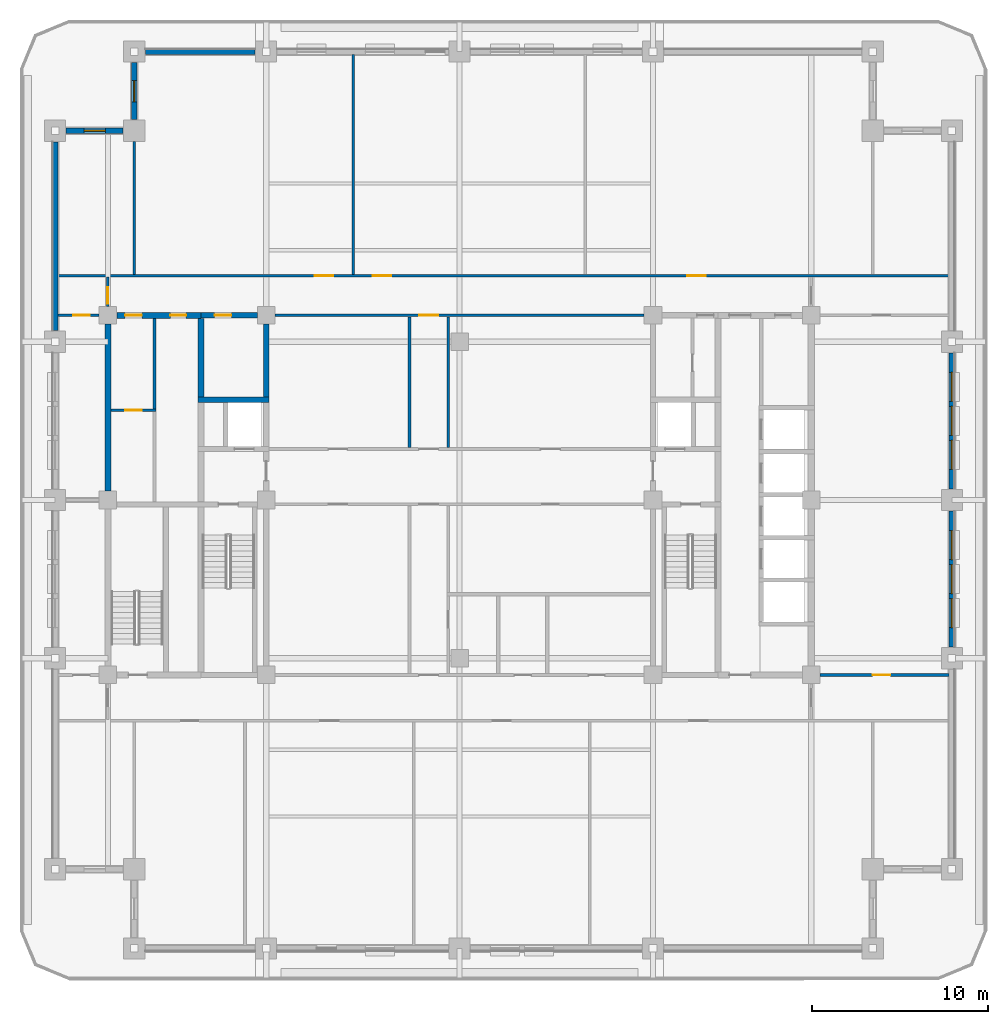
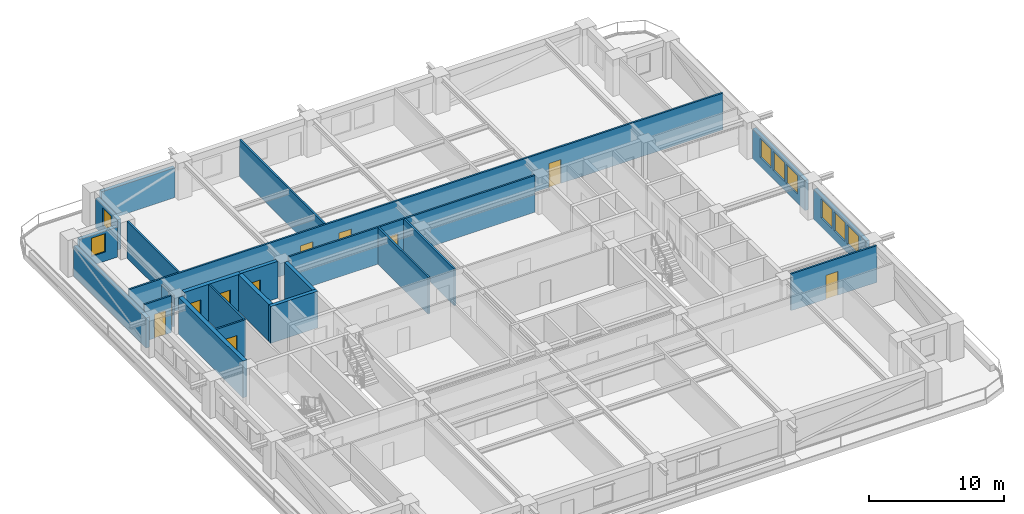
# One storey, part 5 of 14: 23 walls, 11 doors, 8 windows, 19 openings.
"""IFC4 building model written with IfcOpenShell, lengths in metres."""

from ifc_helpers import new_model, si_unit, direction, frame, frame_2d, origin, place, context, subcontext, project, spatial, rectangle, extrude, material, layer, layer_set, type_object, element, fill, save


model = new_model("IFC4")

# Units and contexts
model_context = context("Model", 3, precision=1e-05, world=origin(), true_north=direction((0.0, 1.0)))
body_context = subcontext(model_context, "Body", "Model", "MODEL_VIEW")
ifc_project = project(units=[si_unit("LENGTHUNIT", "METRE"), si_unit("AREAUNIT", "SQUARE_METRE"), si_unit("VOLUMEUNIT", "CUBIC_METRE"), si_unit("PLANEANGLEUNIT", "RADIAN"), si_unit("MASSUNIT", "GRAM", prefix="KILO")], contexts=[model_context])

# Site, building, storey
site_placement = place(None, origin())
site = spatial("IfcSite", under=ifc_project, at=site_placement, CompositionType="ELEMENT")
building_placement = place(site_placement, origin())
building = spatial("IfcBuilding", under=site, at=building_placement, Name="Zulmaris Gate Convention Tower", CompositionType="ELEMENT")
storey_placement = place(building_placement, frame((0.0, 0.0, 98.5)))
storey = spatial("IfcBuildingStorey", under=building, at=storey_placement, Name="L24", CompositionType="ELEMENT", Elevation=98.5)

# Wall
ifc_material_1 = material(Name="Concrete C50/60", Category="concrete")
ifc_layer_1 = layer(ifc_material_1, 0.300048828125, Name="Concrete C50/60")
ifc_layer_set_1 = layer_set([ifc_layer_1], Name="Concrete C50/60")
wall_type_1 = type_object("IfcWallType", Name="CORE-300", PredefinedType="SHEAR", material=ifc_layer_set_1)
wall_1_placement = place(storey_placement, frame((-14.875, 5.699951171875, 0.0), z_axis=(0.0, 0.0, 1.0), x_axis=(1.0, 0.0, 0.0)))
element("IfcWall", 1, at=wall_1_placement, inside=storey, type_object=wall_type_1, Name="WL-L24-015", PredefinedType="SHEAR", context=body_context, shape_type="SweptSolid", body=[
    extrude(rectangle(XDim=4.02490234375, YDim=0.300048828125, at=frame_2d((2.012451171875, 0.0))), origin(), (0.0, 0.0, 1.0), 3.31982421875),
])

# Wall, opening, door
wall_2_placement = place(storey_placement, frame((-14.699951171875, 10.5, 0.0), z_axis=(0.0, 0.0, 1.0), x_axis=(1.0, 0.0, 0.0)))
wall_2 = element("IfcWall", 2, at=wall_2_placement, inside=storey, type_object=wall_type_1, Name="WL-L24-018", PredefinedType="SHEAR", context=body_context, shape_type="SweptSolid", body=[
    extrude(rectangle(XDim=3.196044921875, YDim=0.300048828125, at=frame_2d((1.59814453125, 0.0))), origin(), (0.0, 0.0, 1.0), 3.31982421875),
])
opening_1_placement = place(wall_2_placement, frame((0.77490234375, 0.0, 0.0)))
opening_1 = element("IfcOpeningElement", 3, at=opening_1_placement, cuts=wall_2, Name="Opening D-11", PredefinedType="OPENING", context=body_context, shape_type="SweptSolid", body=[
    extrude(rectangle(XDim=0.949951171875, YDim=2.14990234375, at=frame_2d((0.47509765625, 1.074951171875))), frame((0.0, 0.16015625, 0.0), z_axis=(0.0, -1.0, 0.0), x_axis=(1.0, 0.0, 0.0)), (0.0, 0.0, 1.0), 0.320068359375),
])
ifc_material_2 = material(Name="Fire-Rated Timber", Category="wood")
door_type_1 = type_object("IfcDoorType", Name="DR-950-FD", OperationType="NOTDEFINED", PredefinedType="DOOR", material=ifc_material_2)
door_1_placement = place(opening_1_placement, origin())
door_1 = element("IfcDoor", 4, at=door_1_placement, inside=storey, type_object=door_type_1, Name="L24 Core Archive Door 07", OperationType="SINGLE_SWING_RIGHT", OverallHeight=2.14990234375, OverallWidth=0.949951171875, PredefinedType="DOOR", context=body_context, shape_type="SweptSolid", body=[
    extrude(rectangle(XDim=0.949951171875, YDim=2.14990234375, at=frame_2d((0.47509765625, 1.074951171875))), frame((0.0, 0.02490234375, 0.0), z_axis=(0.0, -1.0, 0.0), x_axis=(1.0, 0.0, 0.0)), (0.0, 0.0, 1.0), 0.050048828125),
])
fill(opening_1, door_1)

# Wall
wall_3_placement = place(storey_placement, frame((-11.0, 5.85205078125, 0.0), z_axis=(0.0, 0.0, 1.0), x_axis=(0.0, 1.0, 0.0)))
element("IfcWall", 5, at=wall_3_placement, inside=storey, type_object=wall_type_1, Name="WL-L24-046", PredefinedType="SHEAR", context=body_context, shape_type="SweptSolid", body=[
    extrude(rectangle(XDim=4.14404296875, YDim=0.300048828125, at=frame_2d((2.072021484375, 0.0))), origin(), (0.0, 0.0, 1.0), 3.31982421875),
])

# Wall, openings, doors
ifc_material_3 = material(Name="Concrete C55/67", Category="concrete")
ifc_layer_2 = layer(ifc_material_3, 0.35009765625, Name="Concrete C55/67")
ifc_layer_set_2 = layer_set([ifc_layer_2], Name="Concrete C55/67")
wall_type_2 = type_object("IfcWallType", Name="CORE-350", PredefinedType="SHEAR", material=ifc_layer_set_2)
wall_4_placement = place(storey_placement, frame((-19.49609375, 10.5, 0.0), z_axis=(0.0, 0.0, 1.0), x_axis=(1.0, 0.0, 0.0)))
wall_4 = element("IfcWall", 6, at=wall_4_placement, inside=storey, type_object=wall_type_2, Name="WL-L24-017", PredefinedType="SHEAR", context=body_context, shape_type="SweptSolid", body=[
    extrude(rectangle(XDim=4.796142578125, YDim=0.35009765625, at=frame_2d((2.39794921875, 0.0))), origin(), (0.0, 0.0, 1.0), 3.31982421875),
])
opening_2_placement = place(wall_4_placement, frame((0.470947265625, 0.0, 0.0)))
opening_2 = element("IfcOpeningElement", 7, at=opening_2_placement, cuts=wall_4, Name="Opening D-11", PredefinedType="OPENING", context=body_context, shape_type="SweptSolid", body=[
    extrude(rectangle(XDim=0.949951171875, YDim=2.14990234375, at=frame_2d((0.47509765625, 1.074951171875))), frame((0.0, 0.18505859375, 0.0), z_axis=(0.0, -1.0, 0.0), x_axis=(1.0, 0.0, 0.0)), (0.0, 0.0, 1.0), 0.3701171875),
])
opening_3_placement = place(wall_4_placement, frame((3.0458984375, 0.0, 0.0)))
opening_3 = element("IfcOpeningElement", 8, at=opening_3_placement, cuts=wall_4, Name="Opening D-12", PredefinedType="OPENING", context=body_context, shape_type="SweptSolid", body=[
    extrude(rectangle(XDim=0.89990234375, YDim=2.14990234375, at=frame_2d((0.449951171875, 1.074951171875))), frame((0.0, 0.18505859375, 0.0), z_axis=(0.0, -1.0, 0.0), x_axis=(1.0, 0.0, 0.0)), (0.0, 0.0, 1.0), 0.3701171875),
])
door_type_2 = type_object("IfcDoorType", Name="DR-900-FD", OperationType="NOTDEFINED", PredefinedType="DOOR", material=ifc_material_2)
door_2_placement = place(opening_3_placement, origin())
door_2 = element("IfcDoor", 9, at=door_2_placement, inside=storey, type_object=door_type_2, Name="L24 Staff WC Door 13", OperationType="SINGLE_SWING_RIGHT", OverallHeight=2.14990234375, OverallWidth=0.89990234375, PredefinedType="DOOR", context=body_context, shape_type="SweptSolid", body=[
    extrude(rectangle(XDim=0.89990234375, YDim=2.14990234375, at=frame_2d((0.449951171875, 1.074951171875))), frame((0.0, 0.02490234375, 0.0), z_axis=(0.0, -1.0, 0.0), x_axis=(1.0, 0.0, 0.0)), (0.0, 0.0, 1.0), 0.050048828125),
])
fill(opening_3, door_2)
door_3_placement = place(opening_2_placement, origin())
door_3 = element("IfcDoor", 10, at=door_3_placement, inside=storey, type_object=door_type_1, Name="L24 Linen Store Door 11", OperationType="SINGLE_SWING_RIGHT", OverallHeight=2.14990234375, OverallWidth=0.949951171875, PredefinedType="DOOR", context=body_context, shape_type="SweptSolid", body=[
    extrude(rectangle(XDim=0.949951171875, YDim=2.14990234375, at=frame_2d((0.47509765625, 1.074951171875))), frame((0.0, 0.02490234375, 0.0), z_axis=(0.0, -1.0, 0.0), x_axis=(1.0, 0.0, 0.0)), (0.0, 0.0, 1.0), 0.050048828125),
])
fill(opening_2, door_3)

# Walls
wall_5_placement = place(storey_placement, frame((-20.0, 0.50390625, 0.0), z_axis=(0.0, 0.0, 1.0), x_axis=(0.0, 1.0, 0.0)))
element("IfcWall", 11, at=wall_5_placement, inside=storey, type_object=wall_type_2, Name="WL-L24-035", PredefinedType="SHEAR", context=body_context, shape_type="SweptSolid", body=[
    extrude(rectangle(XDim=9.4921875, YDim=0.35009765625, at=frame_2d((4.74609375, 0.0))), origin(), (0.0, 0.0, 1.0), 3.31982421875),
])
wall_6_placement = place(storey_placement, frame((-14.699951171875, 5.85205078125, 0.0), z_axis=(0.0, 0.0, 1.0), x_axis=(0.0, 1.0, 0.0)))
element("IfcWall", 12, at=wall_6_placement, inside=storey, type_object=wall_type_2, Name="WL-L24-040", PredefinedType="SHEAR", context=body_context, shape_type="SweptSolid", body=[
    extrude(rectangle(XDim=4.470947265625, YDim=0.35009765625, at=frame_2d((2.2353515625, 0.0))), origin(), (0.0, 0.0, 1.0), 3.31982421875),
])

# Wall, opening, door
ifc_material_4 = material(Name="Gypsum Metal Stud Partition")
ifc_layer_3 = layer(ifc_material_4, 0.14990234375, Name="Gypsum Metal Stud Partition")
ifc_layer_set_3 = layer_set([ifc_layer_3], Name="Gypsum Metal Stud Partition")
wall_type_3 = type_object("IfcWallType", Name="PART-150", PredefinedType="PARTITIONING", material=ifc_layer_set_3)
wall_7_placement = place(storey_placement, frame((20.506103515625, -9.949951171875, 0.0), z_axis=(0.0, 0.0, 1.0), x_axis=(1.0, 0.0, 0.0)))
wall_7 = element("IfcWall", 13, at=wall_7_placement, inside=storey, type_object=wall_type_3, Name="WL-L24-024", PredefinedType="PARTITIONING", context=body_context, shape_type="SweptSolid", body=[
    extrude(rectangle(XDim=7.328857421875, YDim=0.14990234375, at=frame_2d((3.66455078125, 0.0))), origin(), (0.0, 0.0, 1.0), 3.31982421875),
])
opening_4_placement = place(wall_7_placement, frame((2.993896484375, 0.0, 0.0)))
opening_4 = element("IfcOpeningElement", 14, at=opening_4_placement, cuts=wall_7, Name="Opening D-10", PredefinedType="OPENING", context=body_context, shape_type="SweptSolid", body=[
    extrude(rectangle(XDim=1.0, YDim=2.14990234375, at=frame_2d((0.5, 1.074951171875))), frame((0.0, 0.0849609375, 0.0), z_axis=(0.0, -1.0, 0.0), x_axis=(1.0, 0.0, 0.0)), (0.0, 0.0, 1.0), 0.169921875),
])
door_type_3 = type_object("IfcDoorType", Name="DR-1000-FD", OperationType="NOTDEFINED", PredefinedType="DOOR", material=ifc_material_2)
door_4_placement = place(opening_4_placement, origin())
door_4 = element("IfcDoor", 15, at=door_4_placement, inside=storey, type_object=door_type_3, Name="L24 East Workplace South Door 46", OperationType="SINGLE_SWING_LEFT", OverallHeight=2.14990234375, OverallWidth=1.0, PredefinedType="DOOR", context=body_context, shape_type="SweptSolid", body=[
    extrude(rectangle(XDim=1.0, YDim=2.14990234375, at=frame_2d((0.5, 1.074951171875))), frame((0.0, 0.02490234375, 0.0), z_axis=(0.0, -1.0, 0.0), x_axis=(1.0, 0.0, 0.0)), (0.0, 0.0, 1.0), 0.050048828125),
])
fill(opening_4, door_4)

wall_8_placement = place(storey_placement, frame((-19.822021484375, 5.10009765625, 0.0), z_axis=(0.0, 0.0, 1.0), x_axis=(1.0, 0.0, 0.0)))
wall_8 = element("IfcWall", 16, at=wall_8_placement, inside=storey, type_object=wall_type_3, Name="WL-L24-029", PredefinedType="PARTITIONING", context=body_context, shape_type="SweptSolid", body=[
    extrude(rectangle(XDim=2.547119140625, YDim=0.14990234375, at=frame_2d((1.2734375, 0.0))), origin(), (0.0, 0.0, 1.0), 3.31982421875),
])
opening_5_placement = place(wall_8_placement, frame((0.797119140625, 0.0, 0.0)))
opening_5 = element("IfcOpeningElement", 17, at=opening_5_placement, cuts=wall_8, Name="Opening D-11", PredefinedType="OPENING", context=body_context, shape_type="SweptSolid", body=[
    extrude(rectangle(XDim=0.949951171875, YDim=2.14990234375, at=frame_2d((0.47509765625, 1.074951171875))), frame((0.0, 0.0849609375, 0.0), z_axis=(0.0, -1.0, 0.0), x_axis=(1.0, 0.0, 0.0)), (0.0, 0.0, 1.0), 0.169921875),
])
door_5_placement = place(opening_5_placement, origin())
door_5 = element("IfcDoor", 18, at=door_5_placement, inside=storey, type_object=door_type_1, Name="L24 Equipment Store Door 12", OperationType="SINGLE_SWING_LEFT", OverallHeight=2.14990234375, OverallWidth=0.949951171875, PredefinedType="DOOR", context=body_context, shape_type="SweptSolid", body=[
    extrude(rectangle(XDim=0.949951171875, YDim=2.14990234375, at=frame_2d((0.47509765625, 1.074951171875))), frame((0.0, 0.02490234375, 0.0), z_axis=(0.0, -1.0, 0.0), x_axis=(1.0, 0.0, 0.0)), (0.0, 0.0, 1.0), 0.050048828125),
])
fill(opening_5, door_5)

wall_9_placement = place(storey_placement, frame((-22.8349609375, 10.5, 0.0), z_axis=(0.0, 0.0, 1.0), x_axis=(1.0, 0.0, 0.0)))
wall_9 = element("IfcWall", 19, at=wall_9_placement, inside=storey, type_object=wall_type_3, Name="WL-L24-030", PredefinedType="PARTITIONING", context=body_context, shape_type="SweptSolid", body=[
    extrude(rectangle(XDim=2.328857421875, YDim=0.14990234375, at=frame_2d((1.16455078125, 0.0))), origin(), (0.0, 0.0, 1.0), 3.31982421875),
])
opening_6_placement = place(wall_9_placement, frame((0.860107421875, 0.0, 0.0)))
opening_6 = element("IfcOpeningElement", 20, at=opening_6_placement, cuts=wall_9, Name="Opening D-11", PredefinedType="OPENING", context=body_context, shape_type="SweptSolid", body=[
    extrude(rectangle(XDim=0.949951171875, YDim=2.14990234375, at=frame_2d((0.47509765625, 1.074951171875))), frame((0.0, 0.0849609375, 0.0), z_axis=(0.0, -1.0, 0.0), x_axis=(1.0, 0.0, 0.0)), (0.0, 0.0, 1.0), 0.169921875),
])
door_6_placement = place(opening_6_placement, origin())
door_6 = element("IfcDoor", 21, at=door_6_placement, inside=storey, type_object=door_type_1, Name="L24 NW Partner Door 41", OperationType="SINGLE_SWING_RIGHT", OverallHeight=2.14990234375, OverallWidth=0.949951171875, PredefinedType="DOOR", context=body_context, shape_type="SweptSolid", body=[
    extrude(rectangle(XDim=0.949951171875, YDim=2.14990234375, at=frame_2d((0.47509765625, 1.074951171875))), frame((0.0, 0.02490234375, 0.0), z_axis=(0.0, -1.0, 0.0), x_axis=(1.0, 0.0, 0.0)), (0.0, 0.0, 1.0), 0.050048828125),
])
fill(opening_6, door_6)

wall_10_placement = place(storey_placement, frame((-10.493896484375, 10.5, 0.0), z_axis=(0.0, 0.0, 1.0), x_axis=(1.0, 0.0, 0.0)))
wall_10 = element("IfcWall", 22, at=wall_10_placement, inside=storey, type_object=wall_type_3, Name="WL-L24-031", PredefinedType="PARTITIONING", context=body_context, shape_type="SweptSolid", body=[
    extrude(rectangle(XDim=20.98779296875, YDim=0.14990234375, at=frame_2d((10.493896484375, 0.0))), origin(), (0.0, 0.0, 1.0), 3.31982421875),
])
opening_7_placement = place(wall_10_placement, frame((8.194091796875, 0.0, 0.0)))
opening_7 = element("IfcOpeningElement", 23, at=opening_7_placement, cuts=wall_10, Name="Opening D-08", PredefinedType="OPENING", context=body_context, shape_type="SweptSolid", body=[
    extrude(rectangle(XDim=1.10009765625, YDim=2.14990234375, at=frame_2d((0.550048828125, 1.074951171875))), frame((0.0, 0.0849609375, 0.0), z_axis=(0.0, -1.0, 0.0), x_axis=(1.0, 0.0, 0.0)), (0.0, 0.0, 1.0), 0.169921875),
])
ifc_material_5 = material(Name="Fire-Rated Steel", Category="steel")
door_type_4 = type_object("IfcDoorType", Name="DR-1100-FD", OperationType="NOTDEFINED", PredefinedType="DOOR", material=ifc_material_5)
door_7_placement = place(opening_7_placement, origin())
door_7 = element("IfcDoor", 24, at=door_7_placement, inside=storey, type_object=door_type_4, Name="L24 North Gallery Link Door 21", OperationType="SINGLE_SWING_RIGHT", OverallHeight=2.14990234375, OverallWidth=1.10009765625, PredefinedType="DOOR", context=body_context, shape_type="SweptSolid", body=[
    extrude(rectangle(XDim=1.10009765625, YDim=2.14990234375, at=frame_2d((0.550048828125, 1.074951171875))), frame((0.0, 0.02490234375, 0.0), z_axis=(0.0, -1.0, 0.0), x_axis=(1.0, 0.0, 0.0)), (0.0, 0.0, 1.0), 0.050048828125),
])
fill(opening_7, door_7)

# Wall, openings, doors
wall_11_placement = place(storey_placement, frame((-22.8349609375, 12.75, 0.0), z_axis=(0.0, 0.0, 1.0), x_axis=(1.0, 0.0, 0.0)))
wall_11 = element("IfcWall", 25, at=wall_11_placement, inside=storey, type_object=wall_type_3, Name="WL-L24-033", PredefinedType="PARTITIONING", context=body_context, shape_type="SweptSolid", body=[
    extrude(rectangle(XDim=50.669921875, YDim=0.14990234375, at=frame_2d((25.3349609375, 0.0))), origin(), (0.0, 0.0, 1.0), 3.31982421875),
])
opening_8_placement = place(wall_11_placement, frame((14.610107421875, 0.0, 0.0)))
opening_8 = element("IfcOpeningElement", 26, at=opening_8_placement, cuts=wall_11, Name="Opening D-09", PredefinedType="OPENING", context=body_context, shape_type="SweptSolid", body=[
    extrude(rectangle(XDim=1.050048828125, YDim=2.14990234375, at=frame_2d((0.52490234375, 1.074951171875))), frame((0.0, 0.0849609375, 0.0), z_axis=(0.0, -1.0, 0.0), x_axis=(1.0, 0.0, 0.0)), (0.0, 0.0, 1.0), 0.169921875),
])
opening_9_placement = place(wall_11_placement, frame((17.909912109375, 0.0, 0.0)))
opening_9 = element("IfcOpeningElement", 27, at=opening_9_placement, cuts=wall_11, Name="Opening D-09", PredefinedType="OPENING", context=body_context, shape_type="SweptSolid", body=[
    extrude(rectangle(XDim=1.050048828125, YDim=2.14990234375, at=frame_2d((0.52490234375, 1.074951171875))), frame((0.0, 0.0849609375, 0.0), z_axis=(0.0, -1.0, 0.0), x_axis=(1.0, 0.0, 0.0)), (0.0, 0.0, 1.0), 0.169921875),
])
opening_10_placement = place(wall_11_placement, frame((35.7900390625, 0.0, 0.0)))
opening_10 = element("IfcOpeningElement", 28, at=opening_10_placement, cuts=wall_11, Name="Opening D-09", PredefinedType="OPENING", context=body_context, shape_type="SweptSolid", body=[
    extrude(rectangle(XDim=1.050048828125, YDim=2.14990234375, at=frame_2d((0.52490234375, 1.074951171875))), frame((0.0, 0.0849609375, 0.0), z_axis=(0.0, -1.0, 0.0), x_axis=(1.0, 0.0, 0.0)), (0.0, 0.0, 1.0), 0.169921875),
])
door_type_5 = type_object("IfcDoorType", Name="DR-1050-FD", OperationType="NOTDEFINED", PredefinedType="DOOR", material=ifc_material_5)
door_8_placement = place(opening_8_placement, origin())
door_8 = element("IfcDoor", 29, at=door_8_placement, inside=storey, type_object=door_type_5, Name="L24 Partner Corner Office Door 25", OperationType="SINGLE_SWING_RIGHT", OverallHeight=2.14990234375, OverallWidth=1.050048828125, PredefinedType="DOOR", context=body_context, shape_type="SweptSolid", body=[
    extrude(rectangle(XDim=1.050048828125, YDim=2.14990234375, at=frame_2d((0.52490234375, 1.074951171875))), frame((0.0, 0.02490234375, 0.0), z_axis=(0.0, -1.0, 0.0), x_axis=(1.0, 0.0, 0.0)), (0.0, 0.0, 1.0), 0.050048828125),
])
fill(opening_8, door_8)
door_9_placement = place(opening_9_placement, origin())
door_9 = element("IfcDoor", 30, at=door_9_placement, inside=storey, type_object=door_type_5, Name="L24 Advisory Suite Office Door 26", OperationType="SINGLE_SWING_LEFT", OverallHeight=2.14990234375, OverallWidth=1.050048828125, PredefinedType="DOOR", context=body_context, shape_type="SweptSolid", body=[
    extrude(rectangle(XDim=1.050048828125, YDim=2.14990234375, at=frame_2d((0.52490234375, 1.074951171875))), frame((0.0, 0.02490234375, 0.0), z_axis=(0.0, -1.0, 0.0), x_axis=(1.0, 0.0, 0.0)), (0.0, 0.0, 1.0), 0.050048828125),
])
fill(opening_9, door_9)
door_10_placement = place(opening_10_placement, origin())
door_10 = element("IfcDoor", 31, at=door_10_placement, inside=storey, type_object=door_type_5, Name="L24 Open Plan Workplace Door 27", OperationType="SINGLE_SWING_RIGHT", OverallHeight=2.14990234375, OverallWidth=1.050048828125, PredefinedType="DOOR", context=body_context, shape_type="SweptSolid", body=[
    extrude(rectangle(XDim=1.050048828125, YDim=2.14990234375, at=frame_2d((0.52490234375, 1.074951171875))), frame((0.0, 0.02490234375, 0.0), z_axis=(0.0, -1.0, 0.0), x_axis=(1.0, 0.0, 0.0)), (0.0, 0.0, 1.0), 0.050048828125),
])
fill(opening_10, door_10)

# Wall, opening, door
wall_12_placement = place(storey_placement, frame((-20.0, 11.006103515625, 0.0), z_axis=(0.0, 0.0, 1.0), x_axis=(0.0, 1.0, 0.0)))
wall_12 = element("IfcWall", 32, at=wall_12_placement, inside=storey, type_object=wall_type_3, Name="WL-L24-070", PredefinedType="PARTITIONING", context=body_context, shape_type="SweptSolid", body=[
    extrude(rectangle(XDim=1.666015625, YDim=0.14990234375, at=frame_2d((0.8330078125, 0.0))), origin(), (0.0, 0.0, 1.0), 2.809814453125),
])
opening_11_placement = place(wall_12_placement, frame((0.14990234375, 0.0, 0.0)))
opening_11 = element("IfcOpeningElement", 33, at=opening_11_placement, cuts=wall_12, Name="Opening D-11", PredefinedType="OPENING", context=body_context, shape_type="SweptSolid", body=[
    extrude(rectangle(XDim=0.949951171875, YDim=2.14990234375, at=frame_2d((0.47509765625, 1.074951171875))), frame((0.0, 0.0849609375, 0.0), z_axis=(0.0, -1.0, 0.0), x_axis=(1.0, 0.0, 0.0)), (0.0, 0.0, 1.0), 0.169921875),
])
door_11_placement = place(opening_11_placement, origin())
door_11 = element("IfcDoor", 34, at=door_11_placement, inside=storey, type_object=door_type_1, Name="L24 NW Spur Door 39", OperationType="SINGLE_SWING_RIGHT", OverallHeight=2.14990234375, OverallWidth=0.949951171875, PredefinedType="DOOR", context=body_context, shape_type="SweptSolid", body=[
    extrude(rectangle(XDim=0.949951171875, YDim=2.14990234375, at=frame_2d((0.47509765625, 1.074951171875))), frame((0.0, 0.02490234375, 0.0), z_axis=(0.0, -1.0, 0.0), x_axis=(1.0, 0.0, 0.0)), (0.0, 0.0, 1.0), 0.050048828125),
])
fill(opening_11, door_11)

# Walls
wall_13_placement = place(storey_placement, frame((-18.5, 12.827880859375, 0.0), z_axis=(0.0, 0.0, 1.0), x_axis=(0.0, 1.0, 0.0)))
element("IfcWall", 35, at=wall_13_placement, inside=storey, type_object=wall_type_3, Name="WL-L24-072", PredefinedType="PARTITIONING", context=body_context, shape_type="SweptSolid", body=[
    extrude(rectangle(XDim=7.566162109375, YDim=0.14990234375, at=frame_2d((3.783203125, 0.0))), origin(), (0.0, 0.0, 1.0), 3.31982421875),
])
wall_14_placement = place(storey_placement, frame((-17.35009765625, 5.177978515625, 0.0), z_axis=(0.0, 0.0, 1.0), x_axis=(0.0, 1.0, 0.0)))
element("IfcWall", 36, at=wall_14_placement, inside=storey, type_object=wall_type_3, Name="WL-L24-074", PredefinedType="PARTITIONING", context=body_context, shape_type="SweptSolid", body=[
    extrude(rectangle(XDim=5.14404296875, YDim=0.14990234375, at=frame_2d((2.572021484375, 0.0))), origin(), (0.0, 0.0, 1.0), 3.31982421875),
])
wall_15_placement = place(storey_placement, frame((-6.050048828125, 12.827880859375, 0.0), z_axis=(0.0, 0.0, 1.0), x_axis=(0.0, 1.0, 0.0)))
element("IfcWall", 37, at=wall_15_placement, inside=storey, type_object=wall_type_3, Name="WL-L24-076", PredefinedType="PARTITIONING", context=body_context, shape_type="SweptSolid", body=[
    extrude(rectangle(XDim=12.507080078125, YDim=0.14990234375, at=frame_2d((6.25341796875, 0.0))), origin(), (0.0, 0.0, 1.0), 3.31982421875),
])
for number, where, z_axis, x_axis, name in (
    (38, (-2.85009765625, 2.97802734375, 0.0), (0.0, 0.0, 1.0), (0.0, 1.0, 0.0), "WL-L24-078"),
    (39, (-0.64990234375, 2.97802734375, 0.0), (0.0, 0.0, 1.0), (0.0, 1.0, 0.0), "WL-L24-082"),
):
    element("IfcWall", number, at=place(storey_placement, frame(where, z_axis=z_axis, x_axis=x_axis)), inside=storey, type_object=wall_type_3, Name=name, PredefinedType="PARTITIONING", context=body_context, shape_type="SweptSolid", body=[
        extrude(rectangle(XDim=7.444091796875, YDim=0.14990234375, at=frame_2d((3.72216796875, 0.0))), origin(), (0.0, 0.0, 1.0), 3.31982421875),
    ])

# Wall, opening, window
ifc_material_6 = material(Name="Precast concrete C40/50", Category="concrete")
ifc_layer_4 = layer(ifc_material_6, 0.300048828125, Name="Precast concrete C40/50")
ifc_layer_set_4 = layer_set([ifc_layer_4], Name="Precast concrete C40/50")
wall_type_4 = type_object("IfcWallType", Name="PRECAST-PIER-300", PredefinedType="STANDARD", material=ifc_layer_set_4)
wall_16_placement = place(storey_placement, frame((-18.5, 24.8701171875, 0.0), z_axis=(0.0, 0.0, 1.0), x_axis=(0.0, -1.0, 0.0)))
wall_16 = element("IfcWall", 40, at=wall_16_placement, inside=storey, type_object=wall_type_4, Name="EW-L24-NOTCH-NW1_0", PredefinedType="STANDARD", context=body_context, shape_type="SweptSolid", body=[
    extrude(rectangle(XDim=3.240234375, YDim=0.300048828125, at=frame_2d((1.6201171875, 0.0))), origin(), (0.0, 0.0, 1.0), 2.7119140625),
])
opening_12_placement = place(wall_16_placement, frame((1.02001953125, 0.0, 0.820068359375)))
opening_12 = element("IfcOpeningElement", 41, at=opening_12_placement, cuts=wall_16, Name="Opening W-04", PredefinedType="OPENING", context=body_context, shape_type="SweptSolid", body=[
    extrude(rectangle(XDim=1.199951171875, YDim=1.64990234375, at=frame_2d((0.60009765625, 0.824951171875))), frame((0.0, 0.16015625, 0.0), z_axis=(0.0, -1.0, 0.0), x_axis=(1.0, 0.0, 0.0)), (0.0, 0.0, 1.0), 0.320068359375),
])
ifc_material_7 = material(Name="Low-E Laminated Double Glazing in Aluminium Frame", Category="aluminium")
window_type_1 = type_object("IfcWindowType", Name="WIN-1200x2100", PartitioningType="SINGLE_PANEL", PredefinedType="WINDOW", material=ifc_material_7)
window_1_placement = place(opening_12_placement, origin())
window_1 = element("IfcWindow", 42, at=window_1_placement, inside=storey, type_object=window_type_1, Name="WN-EW-L24-NOTCH-NW1_0", OverallHeight=1.64990234375, OverallWidth=1.199951171875, PartitioningType="SINGLE_PANEL", PredefinedType="WINDOW", context=body_context, shape_type="SweptSolid", body=[
    extrude(rectangle(XDim=1.199951171875, YDim=1.64990234375, at=frame_2d((0.60009765625, 0.824951171875))), frame((0.0, 0.030029296875, 0.0), z_axis=(0.0, -1.0, 0.0), x_axis=(1.0, 0.0, 0.0)), (0.0, 0.0, 1.0), 0.06005859375),
])
fill(opening_12, window_1)

wall_17_placement = place(storey_placement, frame((-19.1298828125, 21.0, 0.0), z_axis=(0.0, 0.0, 1.0), x_axis=(-1.0, 0.0, 0.0)))
wall_17 = element("IfcWall", 43, at=wall_17_placement, inside=storey, type_object=wall_type_4, Name="EW-L24-NOTCH-NW2_0", PredefinedType="STANDARD", context=body_context, shape_type="SweptSolid", body=[
    extrude(rectangle(XDim=3.240234375, YDim=0.300048828125, at=frame_2d((1.6201171875, 0.0))), origin(), (0.0, 0.0, 1.0), 2.7119140625),
])
opening_13_placement = place(wall_17_placement, frame((1.02001953125, 0.0, 0.820068359375)))
opening_13 = element("IfcOpeningElement", 44, at=opening_13_placement, cuts=wall_17, Name="Opening W-04", PredefinedType="OPENING", context=body_context, shape_type="SweptSolid", body=[
    extrude(rectangle(XDim=1.199951171875, YDim=1.64990234375, at=frame_2d((0.60009765625, 0.824951171875))), frame((0.0, 0.16015625, 0.0), z_axis=(0.0, -1.0, 0.0), x_axis=(1.0, 0.0, 0.0)), (0.0, 0.0, 1.0), 0.320068359375),
])
window_2_placement = place(opening_13_placement, origin())
window_2 = element("IfcWindow", 45, at=window_2_placement, inside=storey, type_object=window_type_1, Name="WN-EW-L24-NOTCH-NW2_0", OverallHeight=1.64990234375, OverallWidth=1.199951171875, PartitioningType="SINGLE_PANEL", PredefinedType="WINDOW", context=body_context, shape_type="SweptSolid", body=[
    extrude(rectangle(XDim=1.199951171875, YDim=1.64990234375, at=frame_2d((0.60009765625, 0.824951171875))), frame((0.0, 0.030029296875, 0.0), z_axis=(0.0, -1.0, 0.0), x_axis=(1.0, 0.0, 0.0)), (0.0, 0.0, 1.0), 0.06005859375),
])
fill(opening_13, window_2)

# Wall
wall_18_placement = place(storey_placement, frame((-11.6298828125, 25.5, 0.0), z_axis=(0.0, 0.0, 1.0), x_axis=(-1.0, 0.0, 0.0)))
element("IfcWall", 46, at=wall_18_placement, inside=storey, type_object=wall_type_4, Name="EW-L24-N-0_0", PredefinedType="STANDARD", context=body_context, shape_type="SweptSolid", body=[
    extrude(rectangle(XDim=6.240234375, YDim=0.300048828125, at=frame_2d((3.1201171875, 0.0))), origin(), (0.0, 0.0, 1.0), 2.7119140625),
])

# Wall, openings, windows
wall_19_placement = place(storey_placement, frame((28.0, -8.3701171875, 0.0), z_axis=(0.0, 0.0, 1.0), x_axis=(0.0, 1.0, 0.0)))
wall_19 = element("IfcWall", 47, at=wall_19_placement, inside=storey, type_object=wall_type_4, Name="EW-L24-E-1_0", PredefinedType="STANDARD", context=body_context, shape_type="SweptSolid", body=[
    extrude(rectangle(XDim=7.740234375, YDim=0.300048828125, at=frame_2d((3.8701171875, 0.0))), origin(), (0.0, 0.0, 1.0), 2.7119140625),
])
opening_14_placement = place(wall_19_placement, frame((1.110107421875, 0.0, 0.800048828125)))
opening_14 = element("IfcOpeningElement", 48, at=opening_14_placement, cuts=wall_19, Name="Opening W-08", PredefinedType="OPENING", context=body_context, shape_type="SweptSolid", body=[
    extrude(rectangle(XDim=1.64990234375, YDim=1.699951171875, at=frame_2d((0.824951171875, 0.85009765625))), frame((0.0, 0.16015625, 0.0), z_axis=(0.0, -1.0, 0.0), x_axis=(1.0, 0.0, 0.0)), (0.0, 0.0, 1.0), 0.320068359375),
])
opening_15_placement = place(wall_19_placement, frame((3.044921875, 0.0, 0.800048828125)))
opening_15 = element("IfcOpeningElement", 49, at=opening_15_placement, cuts=wall_19, Name="Opening W-08", PredefinedType="OPENING", context=body_context, shape_type="SweptSolid", body=[
    extrude(rectangle(XDim=1.64990234375, YDim=1.699951171875, at=frame_2d((0.824951171875, 0.85009765625))), frame((0.0, 0.16015625, 0.0), z_axis=(0.0, -1.0, 0.0), x_axis=(1.0, 0.0, 0.0)), (0.0, 0.0, 1.0), 0.320068359375),
])
opening_16_placement = place(wall_19_placement, frame((4.97998046875, 0.0, 0.800048828125)))
opening_16 = element("IfcOpeningElement", 50, at=opening_16_placement, cuts=wall_19, Name="Opening W-08", PredefinedType="OPENING", context=body_context, shape_type="SweptSolid", body=[
    extrude(rectangle(XDim=1.64990234375, YDim=1.699951171875, at=frame_2d((0.824951171875, 0.85009765625))), frame((0.0, 0.16015625, 0.0), z_axis=(0.0, -1.0, 0.0), x_axis=(1.0, 0.0, 0.0)), (0.0, 0.0, 1.0), 0.320068359375),
])
window_type_2 = type_object("IfcWindowType", Name="WIN-1650x2150", PartitioningType="SINGLE_PANEL", PredefinedType="WINDOW", material=ifc_material_7)
window_3_placement = place(opening_14_placement, origin())
window_3 = element("IfcWindow", 51, at=window_3_placement, inside=storey, type_object=window_type_2, Name="WN-EW-L24-E-1_0-1", OverallHeight=1.699951171875, OverallWidth=1.64990234375, PartitioningType="SINGLE_PANEL", PredefinedType="WINDOW", context=body_context, shape_type="SweptSolid", body=[
    extrude(rectangle(XDim=1.64990234375, YDim=1.699951171875, at=frame_2d((0.824951171875, 0.85009765625))), frame((0.0, 0.030029296875, 0.0), z_axis=(0.0, -1.0, 0.0), x_axis=(1.0, 0.0, 0.0)), (0.0, 0.0, 1.0), 0.06005859375),
])
fill(opening_14, window_3)
window_4_placement = place(opening_15_placement, origin())
window_4 = element("IfcWindow", 52, at=window_4_placement, inside=storey, type_object=window_type_2, Name="WN-EW-L24-E-1_0-2", OverallHeight=1.699951171875, OverallWidth=1.64990234375, PartitioningType="SINGLE_PANEL", PredefinedType="WINDOW", context=body_context, shape_type="SweptSolid", body=[
    extrude(rectangle(XDim=1.64990234375, YDim=1.699951171875, at=frame_2d((0.824951171875, 0.85009765625))), frame((0.0, 0.030029296875, 0.0), z_axis=(0.0, -1.0, 0.0), x_axis=(1.0, 0.0, 0.0)), (0.0, 0.0, 1.0), 0.06005859375),
])
fill(opening_15, window_4)
window_5_placement = place(opening_16_placement, origin())
window_5 = element("IfcWindow", 53, at=window_5_placement, inside=storey, type_object=window_type_2, Name="WN-EW-L24-E-1_0-3", OverallHeight=1.699951171875, OverallWidth=1.64990234375, PartitioningType="SINGLE_PANEL", PredefinedType="WINDOW", context=body_context, shape_type="SweptSolid", body=[
    extrude(rectangle(XDim=1.64990234375, YDim=1.699951171875, at=frame_2d((0.824951171875, 0.85009765625))), frame((0.0, 0.030029296875, 0.0), z_axis=(0.0, -1.0, 0.0), x_axis=(1.0, 0.0, 0.0)), (0.0, 0.0, 1.0), 0.06005859375),
])
fill(opening_16, window_5)

wall_20_placement = place(storey_placement, frame((28.0, 0.6298828125, 0.0), z_axis=(0.0, 0.0, 1.0), x_axis=(0.0, 1.0, 0.0)))
wall_20 = element("IfcWall", 54, at=wall_20_placement, inside=storey, type_object=wall_type_4, Name="EW-L24-E-2_0", PredefinedType="STANDARD", context=body_context, shape_type="SweptSolid", body=[
    extrude(rectangle(XDim=7.740234375, YDim=0.300048828125, at=frame_2d((3.8701171875, 0.0))), origin(), (0.0, 0.0, 1.0), 2.7119140625),
])
opening_17_placement = place(wall_20_placement, frame((1.110107421875, 0.0, 0.800048828125)))
opening_17 = element("IfcOpeningElement", 55, at=opening_17_placement, cuts=wall_20, Name="Opening W-08", PredefinedType="OPENING", context=body_context, shape_type="SweptSolid", body=[
    extrude(rectangle(XDim=1.64990234375, YDim=1.699951171875, at=frame_2d((0.824951171875, 0.85009765625))), frame((0.0, 0.16015625, 0.0), z_axis=(0.0, -1.0, 0.0), x_axis=(1.0, 0.0, 0.0)), (0.0, 0.0, 1.0), 0.320068359375),
])
opening_18_placement = place(wall_20_placement, frame((3.044921875, 0.0, 0.800048828125)))
opening_18 = element("IfcOpeningElement", 56, at=opening_18_placement, cuts=wall_20, Name="Opening W-08", PredefinedType="OPENING", context=body_context, shape_type="SweptSolid", body=[
    extrude(rectangle(XDim=1.64990234375, YDim=1.699951171875, at=frame_2d((0.824951171875, 0.85009765625))), frame((0.0, 0.16015625, 0.0), z_axis=(0.0, -1.0, 0.0), x_axis=(1.0, 0.0, 0.0)), (0.0, 0.0, 1.0), 0.320068359375),
])
opening_19_placement = place(wall_20_placement, frame((4.97998046875, 0.0, 0.800048828125)))
opening_19 = element("IfcOpeningElement", 57, at=opening_19_placement, cuts=wall_20, Name="Opening W-08", PredefinedType="OPENING", context=body_context, shape_type="SweptSolid", body=[
    extrude(rectangle(XDim=1.64990234375, YDim=1.699951171875, at=frame_2d((0.824951171875, 0.85009765625))), frame((0.0, 0.16015625, 0.0), z_axis=(0.0, -1.0, 0.0), x_axis=(1.0, 0.0, 0.0)), (0.0, 0.0, 1.0), 0.320068359375),
])
window_6_placement = place(opening_17_placement, origin())
window_6 = element("IfcWindow", 58, at=window_6_placement, inside=storey, type_object=window_type_2, Name="WN-EW-L24-E-2_0-1", OverallHeight=1.699951171875, OverallWidth=1.64990234375, PartitioningType="SINGLE_PANEL", PredefinedType="WINDOW", context=body_context, shape_type="SweptSolid", body=[
    extrude(rectangle(XDim=1.64990234375, YDim=1.699951171875, at=frame_2d((0.824951171875, 0.85009765625))), frame((0.0, 0.030029296875, 0.0), z_axis=(0.0, -1.0, 0.0), x_axis=(1.0, 0.0, 0.0)), (0.0, 0.0, 1.0), 0.06005859375),
])
fill(opening_17, window_6)
window_7_placement = place(opening_18_placement, origin())
window_7 = element("IfcWindow", 59, at=window_7_placement, inside=storey, type_object=window_type_2, Name="WN-EW-L24-E-2_0-2", OverallHeight=1.699951171875, OverallWidth=1.64990234375, PartitioningType="SINGLE_PANEL", PredefinedType="WINDOW", context=body_context, shape_type="SweptSolid", body=[
    extrude(rectangle(XDim=1.64990234375, YDim=1.699951171875, at=frame_2d((0.824951171875, 0.85009765625))), frame((0.0, 0.030029296875, 0.0), z_axis=(0.0, -1.0, 0.0), x_axis=(1.0, 0.0, 0.0)), (0.0, 0.0, 1.0), 0.06005859375),
])
fill(opening_18, window_7)
window_8_placement = place(opening_19_placement, origin())
window_8 = element("IfcWindow", 60, at=window_8_placement, inside=storey, type_object=window_type_2, Name="WN-EW-L24-E-2_0-3", OverallHeight=1.699951171875, OverallWidth=1.64990234375, PartitioningType="SINGLE_PANEL", PredefinedType="WINDOW", context=body_context, shape_type="SweptSolid", body=[
    extrude(rectangle(XDim=1.64990234375, YDim=1.699951171875, at=frame_2d((0.824951171875, 0.85009765625))), frame((0.0, 0.030029296875, 0.0), z_axis=(0.0, -1.0, 0.0), x_axis=(1.0, 0.0, 0.0)), (0.0, 0.0, 1.0), 0.06005859375),
])
fill(opening_19, window_8)

# Wall
wall_21_placement = place(storey_placement, frame((-23.0, 20.3701171875, 0.0), z_axis=(0.0, 0.0, 1.0), x_axis=(0.0, -1.0, 0.0)))
element("IfcWall", 61, at=wall_21_placement, inside=storey, type_object=wall_type_4, Name="EW-L24-W-3_0", PredefinedType="STANDARD", context=body_context, shape_type="SweptSolid", body=[
    extrude(rectangle(XDim=10.740234375, YDim=0.300048828125, at=frame_2d((5.3701171875, 0.0))), origin(), (0.0, 0.0, 1.0), 2.7119140625),
])

save(model, "model.ifc")
